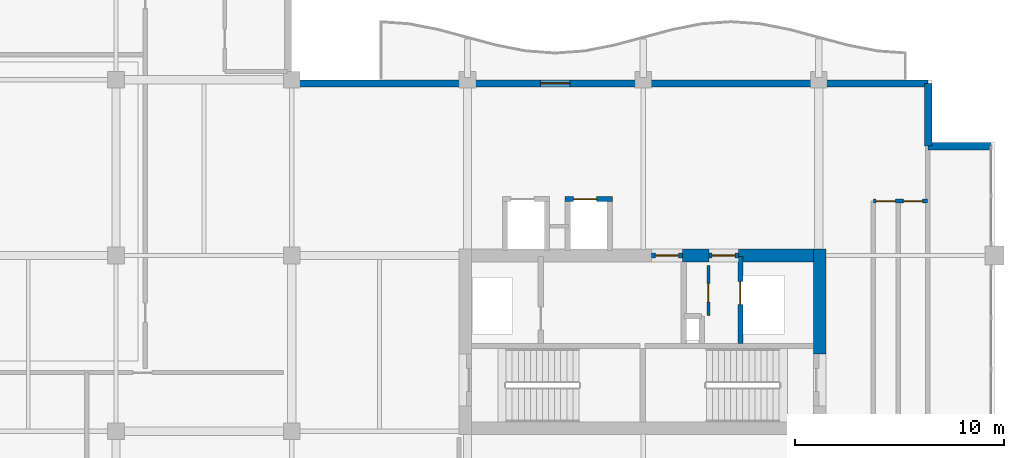
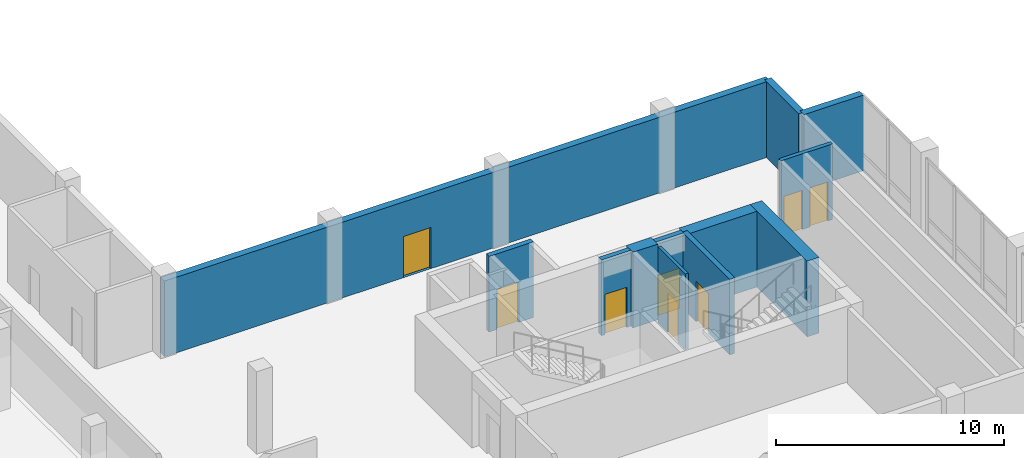
# One storey, part 9 of 15: 12 walls, 8 doors, 8 openings.
"""IFC4 building model written with IfcOpenShell, lengths in metres."""

from ifc_helpers import new_model, si_unit, direction, frame, frame_2d, origin, place, context, subcontext, project, spatial, rectangle, extrude, material, layer, layer_set, type_object, element, fill, save


model = new_model("IFC4")

# Units and contexts
model_context = context("Model", 3, precision=1e-05, world=origin(), true_north=direction((0.0, 1.0)))
body_context = subcontext(model_context, "Body", "Model", "MODEL_VIEW")
ifc_project = project(units=[si_unit("LENGTHUNIT", "METRE"), si_unit("AREAUNIT", "SQUARE_METRE"), si_unit("VOLUMEUNIT", "CUBIC_METRE"), si_unit("PLANEANGLEUNIT", "RADIAN"), si_unit("MASSUNIT", "GRAM", prefix="KILO")], contexts=[model_context])

# Site, building, storey
site_placement = place(None, origin())
site = spatial("IfcSite", under=ifc_project, at=site_placement, CompositionType="ELEMENT")
building_placement = place(site_placement, origin())
building = spatial("IfcBuilding", under=site, at=building_placement, Name="Koriwani Terraces Tower", CompositionType="ELEMENT")
storey_placement = place(building_placement, frame((0.0, 0.0, 290.39990234375)))
storey = spatial("IfcBuildingStorey", under=building, at=storey_placement, Name="L72", CompositionType="ELEMENT", Elevation=290.39990234375)

# Walls
ifc_material_1 = material(Name="Concrete C60/75", Category="concrete")
ifc_layer_1 = layer(ifc_material_1, 0.60009765625, Name="Concrete C60/75")
ifc_layer_set_1 = layer_set([ifc_layer_1], Name="Concrete C60/75")
wall_type_1 = type_object("IfcWallType", Name="WALL_CORE_RC_600", PredefinedType="SHEAR", material=ifc_layer_set_1)
wall_1_placement = place(storey_placement, frame((58.85009765625, 20.5, 0.0), z_axis=(0.0, 0.0, 1.0), x_axis=(0.0, 1.0, 0.0)))
element("IfcWall", 1, at=wall_1_placement, inside=storey, type_object=wall_type_1, Name="L72 East Split Core Shear Wall E2", PredefinedType="SHEAR", context=body_context, shape_type="SweptSolid", body=[
    extrude(rectangle(XDim=5.0, YDim=0.60009765625, at=frame_2d((2.5, 0.0))), origin(), (0.0, 0.0, 1.0), 4.050048828125),
])
wall_2_placement = place(storey_placement, frame((52.280029296875, 25.199951171875, 0.0), z_axis=(0.0, 0.0, 1.0), x_axis=(1.0, 0.0, 0.0)))
element("IfcWall", 2, at=wall_2_placement, inside=storey, type_object=wall_type_1, Name="L72 East Split Core Shear Wall N2", PredefinedType="SHEAR", context=body_context, shape_type="SweptSolid", body=[
    extrude(rectangle(XDim=1.27001953125, YDim=0.60009765625, at=frame_2d((0.635009765625, 0.0))), origin(), (0.0, 0.0, 1.0), 4.050048828125),
])
wall_3_placement = place(storey_placement, frame((54.949951171875, 25.199951171875, 0.0), z_axis=(0.0, 0.0, 1.0), x_axis=(1.0, 0.0, 0.0)))
element("IfcWall", 3, at=wall_3_placement, inside=storey, type_object=wall_type_1, Name="L72 East Split Core Shear Wall N3", PredefinedType="SHEAR", context=body_context, shape_type="SweptSolid", body=[
    extrude(rectangle(XDim=3.60009765625, YDim=0.60009765625, at=frame_2d((1.800048828125, 0.0))), origin(), (0.0, 0.0, 1.0), 4.050048828125),
])

# Wall, openings, doors
ifc_material_2 = material(Name="Autoclaved Cellular Concrete Blockwork", Category="masonry")
ifc_layer_2 = layer(ifc_material_2, 0.199951171875, Name="Autoclaved Cellular Concrete Blockwork")
ifc_layer_set_2 = layer_set([ifc_layer_2], Name="Autoclaved Cellular Concrete Blockwork")
wall_type_2 = type_object("IfcWallType", Name="WALL_CORRIDOR_200", PredefinedType="PARTITIONING", material=ifc_layer_set_2)
wall_4_placement = place(storey_placement, frame((61.39990234375, 27.800048828125, 0.0), z_axis=(0.0, 0.0, 1.0), x_axis=(1.0, 0.0, 0.0)))
wall_4 = element("IfcWall", 4, at=wall_4_placement, inside=storey, type_object=wall_type_2, Name="L72 Interior Wall WSKY-E1-L72", PredefinedType="PARTITIONING", context=body_context, shape_type="SweptSolid", body=[
    extrude(rectangle(XDim=2.60009765625, YDim=0.199951171875, at=frame_2d((1.300048828125, 0.0))), origin(), (0.0, 0.0, 1.0), 4.050048828125),
])
opening_1_placement = place(wall_4_placement, frame((0.139892578125, 0.0, 0.0)))
opening_1 = element("IfcOpeningElement", 5, at=opening_1_placement, cuts=wall_4, Name="Opening D-06", PredefinedType="OPENING", context=body_context, shape_type="SweptSolid", body=[
    extrude(rectangle(XDim=0.919921875, YDim=2.10009765625, at=frame_2d((0.4599609375, 1.050048828125))), frame((0.0, 0.10986328125, 0.0), z_axis=(0.0, -1.0, 0.0), x_axis=(1.0, 0.0, 0.0)), (0.0, 0.0, 1.0), 0.219970703125),
])
opening_2_placement = place(wall_4_placement, frame((1.43994140625, 0.0, 0.0)))
opening_2 = element("IfcOpeningElement", 6, at=opening_2_placement, cuts=wall_4, Name="Opening D-06", PredefinedType="OPENING", context=body_context, shape_type="SweptSolid", body=[
    extrude(rectangle(XDim=0.919921875, YDim=2.10009765625, at=frame_2d((0.4599609375, 1.050048828125))), frame((0.0, 0.10986328125, 0.0), z_axis=(0.0, -1.0, 0.0), x_axis=(1.0, 0.0, 0.0)), (0.0, 0.0, 1.0), 0.219970703125),
])
ifc_material_3 = material(Name="Architectural Oak Fire Door", Category="wood")
door_type_1 = type_object("IfcDoorType", Name="DOOR_ROOM_INT_920X2100", OperationType="NOTDEFINED", PredefinedType="DOOR", material=ifc_material_3)
door_1_placement = place(opening_1_placement, origin())
door_1 = element("IfcDoor", 7, at=door_1_placement, inside=storey, type_object=door_type_1, Name="L72 South Panorama Lounge Door", OperationType="SINGLE_SWING_RIGHT", OverallHeight=2.10009765625, OverallWidth=0.919921875, PredefinedType="DOOR", context=body_context, shape_type="SweptSolid", body=[
    extrude(rectangle(XDim=0.919921875, YDim=2.10009765625, at=frame_2d((0.4599609375, 1.050048828125))), frame((0.0, 0.02490234375, 0.0), z_axis=(0.0, -1.0, 0.0), x_axis=(1.0, 0.0, 0.0)), (0.0, 0.0, 1.0), 0.050048828125),
])
fill(opening_1, door_1)
door_2_placement = place(opening_2_placement, origin())
door_2 = element("IfcDoor", 8, at=door_2_placement, inside=storey, type_object=door_type_1, Name="L72 Sky Garden Restaurant Door", OperationType="SINGLE_SWING_LEFT", OverallHeight=2.10009765625, OverallWidth=0.919921875, PredefinedType="DOOR", context=body_context, shape_type="SweptSolid", body=[
    extrude(rectangle(XDim=0.919921875, YDim=2.10009765625, at=frame_2d((0.4599609375, 1.050048828125))), frame((0.0, 0.02490234375, 0.0), z_axis=(0.0, -1.0, 0.0), x_axis=(1.0, 0.0, 0.0)), (0.0, 0.0, 1.0), 0.050048828125),
])
fill(opening_2, door_2)

# Wall, opening, door
ifc_material_4 = material(Name="Concrete C50/60", Category="concrete")
ifc_layer_3 = layer(ifc_material_4, 0.35009765625, Name="Concrete C50/60")
ifc_layer_set_3 = layer_set([ifc_layer_3], Name="Concrete C50/60")
wall_type_3 = type_object("IfcWallType", Name="WALL_EXT_BRUTALIST_350", PredefinedType="STANDARD", material=ifc_layer_set_3)
wall_5_placement = place(storey_placement, frame((33.425048828125, 33.425048828125, 0.0), z_axis=(0.0, 0.0, 1.0), x_axis=(1.0, 0.0, 0.0)))
wall_5 = element("IfcWall", 9, at=wall_5_placement, inside=storey, type_object=wall_type_3, Name="L72 Fair-Faced Brutalist Exterior Wall (NE)", PredefinedType="STANDARD", context=body_context, shape_type="SweptSolid", body=[
    extrude(rectangle(XDim=30.599853515625, YDim=0.35009765625, at=frame_2d((15.2998046875, 0.0))), origin(), (0.0, 0.0, 1.0), 4.050048828125),
])
opening_3_placement = place(wall_5_placement, frame((12.074951171875, 0.0, 0.0)))
opening_3 = element("IfcOpeningElement", 10, at=opening_3_placement, cuts=wall_5, Name="Opening D-09", PredefinedType="OPENING", context=body_context, shape_type="SweptSolid", body=[
    extrude(rectangle(XDim=1.39990234375, YDim=2.199951171875, at=frame_2d((0.699951171875, 1.10009765625))), frame((0.0, 0.18505859375, 0.0), z_axis=(0.0, -1.0, 0.0), x_axis=(1.0, 0.0, 0.0)), (0.0, 0.0, 1.0), 0.3701171875),
])
ifc_material_5 = material(Name="Anodised Bronze Aluminium", Category="aluminium")
door_type_2 = type_object("IfcDoorType", Name="DOOR_BALCONY_GLAZED_1400X2200", OperationType="NOTDEFINED", PredefinedType="DOOR", material=ifc_material_5)
door_3_placement = place(opening_3_placement, origin())
door_3 = element("IfcDoor", 11, at=door_3_placement, inside=storey, type_object=door_type_2, Name="L72 Inner Court Balcony Glazed Door", OperationType="SINGLE_SWING_LEFT", OverallHeight=2.199951171875, OverallWidth=1.39990234375, PredefinedType="DOOR", context=body_context, shape_type="SweptSolid", body=[
    extrude(rectangle(XDim=1.39990234375, YDim=2.199951171875, at=frame_2d((0.699951171875, 1.10009765625))), frame((0.0, 0.02490234375, 0.0), z_axis=(0.0, -1.0, 0.0), x_axis=(1.0, 0.0, 0.0)), (0.0, 0.0, 1.0), 0.050048828125),
])
fill(opening_3, door_3)

# Walls
for number, where, z_axis, x_axis, name in (
    (12, (64.02490234375, 33.425048828125, 0.0), (0.0, 0.0, 1.0), (0.0, -1.0, 0.0), "L72 Fair-Faced Brutalist Exterior Wall (N10)"),
    (13, (64.02490234375, 30.425048828125, 0.0), (0.0, 0.0, 1.0), (1.0, 0.0, 0.0), "L72 Fair-Faced Brutalist Exterior Wall (N11)"),
):
    element("IfcWall", number, at=place(storey_placement, frame(where, z_axis=z_axis, x_axis=x_axis)), inside=storey, type_object=wall_type_3, Name=name, PredefinedType="STANDARD", context=body_context, shape_type="SweptSolid", body=[
        extrude(rectangle(XDim=3.0, YDim=0.35009765625, at=frame_2d((1.5, 0.0))), origin(), (0.0, 0.0, 1.0), 4.050048828125),
    ])

# Wall, opening, door
ifc_material_6 = material(Name="Concrete C40/50", Category="concrete")
ifc_layer_4 = layer(ifc_material_6, 0.25, Name="Concrete C40/50")
ifc_layer_set_4 = layer_set([ifc_layer_4], Name="Concrete C40/50")
wall_type_4 = type_object("IfcWallType", Name="WALL_SHAFT_RATED_250", PredefinedType="SOLIDWALL", material=ifc_layer_set_4)
wall_6_placement = place(storey_placement, frame((50.800048828125, 25.199951171875, 0.0), z_axis=(0.0, 0.0, 1.0), x_axis=(1.0, 0.0, 0.0)))
wall_6 = element("IfcWall", 14, at=wall_6_placement, inside=storey, type_object=wall_type_4, Name="L72 Interior Wall WIN-CE-L72-NP", PredefinedType="SOLIDWALL", context=body_context, shape_type="SweptSolid", body=[
    extrude(rectangle(XDim=1.47998046875, YDim=0.25, at=frame_2d((0.739990234375, 0.0))), origin(), (0.0, 0.0, 1.0), 4.050048828125),
])
opening_4_placement = place(wall_6_placement, frame((0.179931640625, 0.0, 0.0)))
opening_4 = element("IfcOpeningElement", 15, at=opening_4_placement, cuts=wall_6, Name="Opening D-03", PredefinedType="OPENING", context=body_context, shape_type="SweptSolid", body=[
    extrude(rectangle(XDim=1.10009765625, YDim=2.14990234375, at=frame_2d((0.550048828125, 1.074951171875))), frame((0.0, 0.135009765625, 0.0), z_axis=(0.0, -1.0, 0.0), x_axis=(1.0, 0.0, 0.0)), (0.0, 0.0, 1.0), 0.27001953125),
])
ifc_material_7 = material(Name="Steel ASTM A572 Grade 50", Category="steel")
door_type_3 = type_object("IfcDoorType", Name="DOOR_STAIR_FIRE_1100X2150", OperationType="NOTDEFINED", PredefinedType="DOOR", material=ifc_material_7)
door_4_placement = place(opening_4_placement, origin())
door_4 = element("IfcDoor", 16, at=door_4_placement, inside=storey, type_object=door_type_3, Name="L72 East Firefighting Lobby Door", OperationType="SINGLE_SWING_LEFT", OverallHeight=2.14990234375, OverallWidth=1.10009765625, PredefinedType="DOOR", context=body_context, shape_type="SweptSolid", body=[
    extrude(rectangle(XDim=1.10009765625, YDim=2.14990234375, at=frame_2d((0.550048828125, 1.074951171875))), frame((0.0, 0.02490234375, 0.0), z_axis=(0.0, -1.0, 0.0), x_axis=(1.0, 0.0, 0.0)), (0.0, 0.0, 1.0), 0.050048828125),
])
fill(opening_4, door_4)

wall_7_placement = place(storey_placement, frame((55.050048828125, 21.0, 0.0), z_axis=(0.0, 0.0, 1.0), x_axis=(0.0, 1.0, 0.0)))
wall_7 = element("IfcWall", 17, at=wall_7_placement, inside=storey, type_object=wall_type_4, Name="L72 Interior Wall WIN-CE-L72-SE", PredefinedType="SOLIDWALL", context=body_context, shape_type="SweptSolid", body=[
    extrude(rectangle(XDim=4.14990234375, YDim=0.25, at=frame_2d((2.074951171875, 0.0))), origin(), (0.0, 0.0, 1.0), 4.050048828125),
])
opening_5_placement = place(wall_7_placement, frame((1.85009765625, 0.0, 0.0)))
opening_5 = element("IfcOpeningElement", 18, at=opening_5_placement, cuts=wall_7, Name="Opening LD-01", PredefinedType="OPENING", context=body_context, shape_type="SweptSolid", body=[
    extrude(rectangle(XDim=1.10009765625, YDim=2.14990234375, at=frame_2d((0.550048828125, 1.074951171875))), frame((0.0, 0.135009765625, 0.0), z_axis=(0.0, -1.0, 0.0), x_axis=(1.0, 0.0, 0.0)), (0.0, 0.0, 1.0), 0.27001953125),
])
door_type_4 = type_object("IfcDoorType", Name="DOOR_LIFT_LANDING_1100X2200", OperationType="NOTDEFINED", PredefinedType="DOOR", material=ifc_material_7)
door_5_placement = place(opening_5_placement, origin())
door_5 = element("IfcDoor", 19, at=door_5_placement, inside=storey, type_object=door_type_4, Name="L72 Goods Lift SE-02 Landing Door", OperationType="SLIDING_TO_LEFT", OverallHeight=2.14990234375, OverallWidth=1.10009765625, PredefinedType="DOOR", context=body_context, shape_type="SweptSolid", body=[
    extrude(rectangle(XDim=1.10009765625, YDim=2.14990234375, at=frame_2d((0.550048828125, 1.074951171875))), frame((0.0, 0.02490234375, 0.0), z_axis=(0.0, -1.0, 0.0), x_axis=(1.0, 0.0, 0.0)), (0.0, 0.0, 1.0), 0.050048828125),
])
fill(opening_5, door_5)

wall_8_placement = place(storey_placement, frame((53.550048828125, 25.199951171875, 0.0), z_axis=(0.0, 0.0, 1.0), x_axis=(1.0, 0.0, 0.0)))
wall_8 = element("IfcWall", 20, at=wall_8_placement, inside=storey, type_object=wall_type_4, Name="L72 Interior Wall WIN-CE-L72-NP2", PredefinedType="SOLIDWALL", context=body_context, shape_type="SweptSolid", body=[
    extrude(rectangle(XDim=1.39990234375, YDim=0.25, at=frame_2d((0.699951171875, 0.0))), origin(), (0.0, 0.0, 1.0), 4.050048828125),
])
opening_6_placement = place(wall_8_placement, frame((0.14990234375, 0.0, 0.0)))
opening_6 = element("IfcOpeningElement", 21, at=opening_6_placement, cuts=wall_8, Name="Opening D-03", PredefinedType="OPENING", context=body_context, shape_type="SweptSolid", body=[
    extrude(rectangle(XDim=1.10009765625, YDim=2.14990234375, at=frame_2d((0.550048828125, 1.074951171875))), frame((0.0, 0.135009765625, 0.0), z_axis=(0.0, -1.0, 0.0), x_axis=(1.0, 0.0, 0.0)), (0.0, 0.0, 1.0), 0.27001953125),
])
door_6_placement = place(opening_6_placement, origin())
door_6 = element("IfcDoor", 22, at=door_6_placement, inside=storey, type_object=door_type_3, Name="L72 East Goods Lift Lobby Door", OperationType="SINGLE_SWING_RIGHT", OverallHeight=2.14990234375, OverallWidth=1.10009765625, PredefinedType="DOOR", context=body_context, shape_type="SweptSolid", body=[
    extrude(rectangle(XDim=1.10009765625, YDim=2.14990234375, at=frame_2d((0.550048828125, 1.074951171875))), frame((0.0, 0.02490234375, 0.0), z_axis=(0.0, -1.0, 0.0), x_axis=(1.0, 0.0, 0.0)), (0.0, 0.0, 1.0), 0.050048828125),
])
fill(opening_6, door_6)

wall_9_placement = place(storey_placement, frame((46.675048828125, 27.89990234375, 0.0), z_axis=(0.0, 0.0, 1.0), x_axis=(1.0, 0.0, 0.0)))
wall_9 = element("IfcWall", 23, at=wall_9_placement, inside=storey, type_object=wall_type_4, Name="L72 Interior Wall WIN-LF-PE-H4-L72-F", PredefinedType="SOLIDWALL", context=body_context, shape_type="SweptSolid", body=[
    extrude(rectangle(XDim=2.25, YDim=0.25, at=frame_2d((1.125, 0.0))), origin(), (0.0, 0.0, 1.0), 4.050048828125),
])
opening_7_placement = place(wall_9_placement, frame((0.39990234375, 0.0, 0.0)))
opening_7 = element("IfcOpeningElement", 24, at=opening_7_placement, cuts=wall_9, Name="Opening LD-01", PredefinedType="OPENING", context=body_context, shape_type="SweptSolid", body=[
    extrude(rectangle(XDim=1.10009765625, YDim=2.14990234375, at=frame_2d((0.550048828125, 1.074951171875))), frame((0.0, 0.135009765625, 0.0), z_axis=(0.0, -1.0, 0.0), x_axis=(1.0, 0.0, 0.0)), (0.0, 0.0, 1.0), 0.27001953125),
])
door_7_placement = place(opening_7_placement, origin())
door_7 = element("IfcDoor", 25, at=door_7_placement, inside=storey, type_object=door_type_4, Name="L72 Passenger Lift PE-H4 Landing Door", OperationType="SLIDING_TO_LEFT", OverallHeight=2.14990234375, OverallWidth=1.10009765625, PredefinedType="DOOR", context=body_context, shape_type="SweptSolid", body=[
    extrude(rectangle(XDim=1.10009765625, YDim=2.14990234375, at=frame_2d((0.550048828125, 1.074951171875))), frame((0.0, 0.02490234375, 0.0), z_axis=(0.0, -1.0, 0.0), x_axis=(1.0, 0.0, 0.0)), (0.0, 0.0, 1.0), 0.050048828125),
])
fill(opening_7, door_7)

ifc_material_8 = material(Name="Fire-Rated Acoustic Gypsum Partition", Category="masonry")
ifc_layer_5 = layer(ifc_material_8, 0.159912109375, Name="Fire-Rated Acoustic Gypsum Partition")
ifc_layer_set_5 = layer_set([ifc_layer_5], Name="Fire-Rated Acoustic Gypsum Partition")
wall_type_5 = type_object("IfcWallType", Name="WALL_SUITE_160", PredefinedType="PARTITIONING", material=ifc_layer_set_5)
wall_10_placement = place(storey_placement, frame((53.52001953125, 22.320068359375, 0.0), z_axis=(0.0, 0.0, 1.0), x_axis=(0.0, 1.0, 0.0)))
wall_10 = element("IfcWall", 26, at=wall_10_placement, inside=storey, type_object=wall_type_5, Name="L72 Interior Wall WIN-CE-L72-SV0", PredefinedType="PARTITIONING", context=body_context, shape_type="SweptSolid", body=[
    extrude(rectangle(XDim=2.39990234375, YDim=0.159912109375, at=frame_2d((1.199951171875, 0.0))), origin(), (0.0, 0.0, 1.0), 4.050048828125),
])
opening_8_placement = place(wall_10_placement, frame((0.64990234375, 0.0, 0.0)))
opening_8 = element("IfcOpeningElement", 27, at=opening_8_placement, cuts=wall_10, Name="Opening D-07", PredefinedType="OPENING", context=body_context, shape_type="SweptSolid", body=[
    extrude(rectangle(XDim=0.89990234375, YDim=2.10009765625, at=frame_2d((0.449951171875, 1.050048828125))), frame((0.0, 0.08984375, 0.0), z_axis=(0.0, -1.0, 0.0), x_axis=(1.0, 0.0, 0.0)), (0.0, 0.0, 1.0), 0.179931640625),
])
door_type_5 = type_object("IfcDoorType", Name="DOOR_BATH_INT_900X2100", OperationType="NOTDEFINED", PredefinedType="DOOR", material=ifc_material_3)
door_8_placement = place(opening_8_placement, origin())
door_8 = element("IfcDoor", 28, at=door_8_placement, inside=storey, type_object=door_type_5, Name="L72 East Electrical Switch Room Door", OperationType="SINGLE_SWING_LEFT", OverallHeight=2.10009765625, OverallWidth=0.89990234375, PredefinedType="DOOR", context=body_context, shape_type="SweptSolid", body=[
    extrude(rectangle(XDim=0.89990234375, YDim=2.10009765625, at=frame_2d((0.449951171875, 1.050048828125))), frame((0.0, 0.02490234375, 0.0), z_axis=(0.0, -1.0, 0.0), x_axis=(1.0, 0.0, 0.0)), (0.0, 0.0, 1.0), 0.050048828125),
])
fill(opening_8, door_8)

save(model, "model.ifc")
